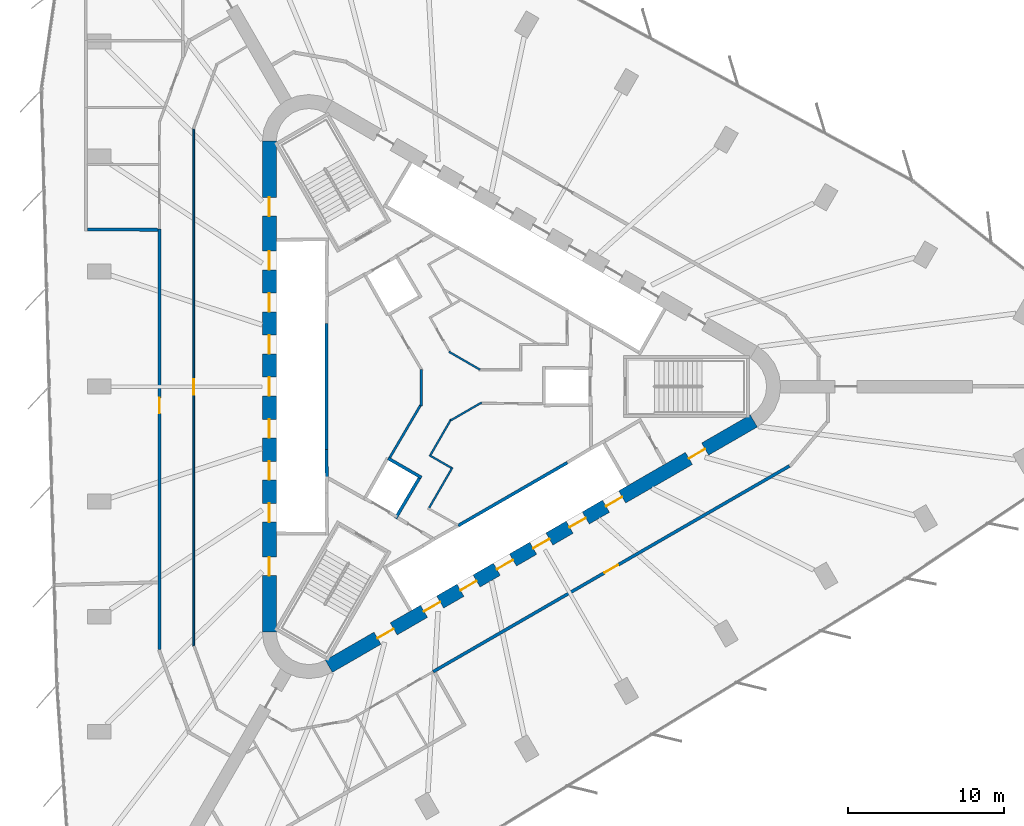
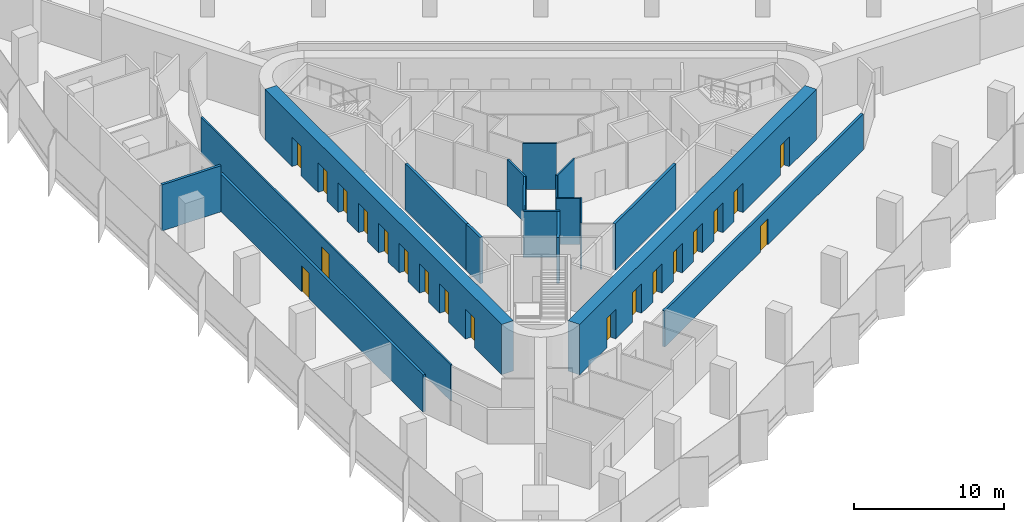
# One storey, part 9 of 14: 20 doors, 18 walls, 20 openings.
"""IFC4 building model written with IfcOpenShell, lengths in metres."""

from ifc_helpers import new_model, si_unit, direction, frame, frame_2d, origin, place, context, subcontext, project, spatial, rectangle, extrude, material, layer, layer_set, type_object, element, fill, save


model = new_model("IFC4")

# Units and contexts
model_context = context("Model", 3, precision=1e-05, world=origin(), true_north=direction((0.0, 1.0)))
body_context = subcontext(model_context, "Body", "Model", "MODEL_VIEW")
ifc_project = project(units=[si_unit("LENGTHUNIT", "METRE"), si_unit("AREAUNIT", "SQUARE_METRE"), si_unit("VOLUMEUNIT", "CUBIC_METRE"), si_unit("PLANEANGLEUNIT", "RADIAN"), si_unit("MASSUNIT", "GRAM", prefix="KILO")], contexts=[model_context])

# Site, building, storey
site_placement = place(None, origin())
site = spatial("IfcSite", under=ifc_project, at=site_placement, CompositionType="ELEMENT")
building_placement = place(site_placement, origin())
building = spatial("IfcBuilding", under=site, at=building_placement, Name="Tanit Gate Tower", CompositionType="ELEMENT")
storey_placement = place(building_placement, frame((0.0, 0.0, 152.10009765625)))
storey = spatial("IfcBuildingStorey", under=building, at=storey_placement, Name="L33", CompositionType="ELEMENT", Elevation=152.10009765625)

# Wall, openings, doors
ifc_material_1 = material(Name="Concrete C60/75", Category="concrete")
ifc_layer_1 = layer(ifc_material_1, 0.89990234375)
ifc_layer_set_1 = layer_set([ifc_layer_1], Name="CORE WALL 900 C60/75")
wall_type_1 = type_object("IfcWallType", Name="CORE WALL 900 C60/75", PredefinedType="SHEAR", material=ifc_layer_set_1)
wall_1_placement = place(storey_placement, frame((-11.64990234375, 15.76171875, 0.0), z_axis=(0.0, 0.0, 1.0), x_axis=(0.0, -1.0, 0.0)))
wall_1 = element("IfcWall", 1, at=wall_1_placement, inside=storey, type_object=wall_type_1, Name="CORE WALL", PredefinedType="SHEAR", context=body_context, shape_type="SweptSolid", body=[
    extrude(rectangle(XDim=31.5234375, YDim=0.89990234375, at=frame_2d((15.76171875, 0.0))), origin(), (0.0, 0.0, 1.0), 4.099853515625),
])
opening_1_placement = place(wall_1_placement, frame((7.061767578125, 0.0, 0.0)))
opening_1 = element("IfcOpeningElement", 2, at=opening_1_placement, cuts=wall_1, Name="Opening LDLL1-S08", PredefinedType="OPENING", context=body_context, shape_type="SweptSolid", body=[
    extrude(rectangle(XDim=1.199951171875, YDim=2.39990234375, at=frame_2d((0.60009765625, 1.199951171875))), frame((0.0, 0.4599609375, 0.0), z_axis=(0.0, -1.0, 0.0), x_axis=(1.0, 0.0, 0.0)), (0.0, 0.0, 1.0), 0.919921875),
])
opening_2_placement = place(wall_1_placement, frame((9.76171875, 0.0, 0.0)))
opening_2 = element("IfcOpeningElement", 3, at=opening_2_placement, cuts=wall_1, Name="Opening LDLL2-S08", PredefinedType="OPENING", context=body_context, shape_type="SweptSolid", body=[
    extrude(rectangle(XDim=1.199951171875, YDim=2.39990234375, at=frame_2d((0.60009765625, 1.199951171875))), frame((0.0, 0.4599609375, 0.0), z_axis=(0.0, -1.0, 0.0), x_axis=(1.0, 0.0, 0.0)), (0.0, 0.0, 1.0), 0.919921875),
])
opening_3_placement = place(wall_1_placement, frame((12.461669921875, 0.0, 0.0)))
opening_3 = element("IfcOpeningElement", 4, at=opening_3_placement, cuts=wall_1, Name="Opening LDLL3-S08", PredefinedType="OPENING", context=body_context, shape_type="SweptSolid", body=[
    extrude(rectangle(XDim=1.199951171875, YDim=2.39990234375, at=frame_2d((0.60009765625, 1.199951171875))), frame((0.0, 0.4599609375, 0.0), z_axis=(0.0, -1.0, 0.0), x_axis=(1.0, 0.0, 0.0)), (0.0, 0.0, 1.0), 0.919921875),
])
opening_4_placement = place(wall_1_placement, frame((15.16162109375, 0.0, 0.0)))
opening_4 = element("IfcOpeningElement", 5, at=opening_4_placement, cuts=wall_1, Name="Opening LDLL4-S08", PredefinedType="OPENING", context=body_context, shape_type="SweptSolid", body=[
    extrude(rectangle(XDim=1.199951171875, YDim=2.39990234375, at=frame_2d((0.60009765625, 1.199951171875))), frame((0.0, 0.4599609375, 0.0), z_axis=(0.0, -1.0, 0.0), x_axis=(1.0, 0.0, 0.0)), (0.0, 0.0, 1.0), 0.919921875),
])
opening_5_placement = place(wall_1_placement, frame((17.86181640625, 0.0, 0.0)))
opening_5 = element("IfcOpeningElement", 6, at=opening_5_placement, cuts=wall_1, Name="Opening LDLL5-S08", PredefinedType="OPENING", context=body_context, shape_type="SweptSolid", body=[
    extrude(rectangle(XDim=1.199951171875, YDim=2.39990234375, at=frame_2d((0.60009765625, 1.199951171875))), frame((0.0, 0.4599609375, 0.0), z_axis=(0.0, -1.0, 0.0), x_axis=(1.0, 0.0, 0.0)), (0.0, 0.0, 1.0), 0.919921875),
])
opening_6_placement = place(wall_1_placement, frame((20.561767578125, 0.0, 0.0)))
opening_6 = element("IfcOpeningElement", 7, at=opening_6_placement, cuts=wall_1, Name="Opening LDLL6-S08", PredefinedType="OPENING", context=body_context, shape_type="SweptSolid", body=[
    extrude(rectangle(XDim=1.199951171875, YDim=2.39990234375, at=frame_2d((0.60009765625, 1.199951171875))), frame((0.0, 0.4599609375, 0.0), z_axis=(0.0, -1.0, 0.0), x_axis=(1.0, 0.0, 0.0)), (0.0, 0.0, 1.0), 0.919921875),
])
opening_7_placement = place(wall_1_placement, frame((23.26171875, 0.0, 0.0)))
opening_7 = element("IfcOpeningElement", 8, at=opening_7_placement, cuts=wall_1, Name="Opening LDLL7-S08", PredefinedType="OPENING", context=body_context, shape_type="SweptSolid", body=[
    extrude(rectangle(XDim=1.199951171875, YDim=2.39990234375, at=frame_2d((0.60009765625, 1.199951171875))), frame((0.0, 0.4599609375, 0.0), z_axis=(0.0, -1.0, 0.0), x_axis=(1.0, 0.0, 0.0)), (0.0, 0.0, 1.0), 0.919921875),
])
opening_8_placement = place(wall_1_placement, frame((3.61181640625, 0.0, 0.0)))
opening_8 = element("IfcOpeningElement", 9, at=opening_8_placement, cuts=wall_1, Name="Opening F12-S08-FL2", PredefinedType="OPENING", context=body_context, shape_type="SweptSolid", body=[
    extrude(rectangle(XDim=1.199951171875, YDim=2.39990234375, at=frame_2d((0.60009765625, 1.199951171875))), frame((0.0, 0.4599609375, 0.0), z_axis=(0.0, -1.0, 0.0), x_axis=(1.0, 0.0, 0.0)), (0.0, 0.0, 1.0), 0.919921875),
])
opening_9_placement = place(wall_1_placement, frame((26.711669921875, 0.0, 0.0)))
opening_9 = element("IfcOpeningElement", 10, at=opening_9_placement, cuts=wall_1, Name="Opening F12-S08-S3", PredefinedType="OPENING", context=body_context, shape_type="SweptSolid", body=[
    extrude(rectangle(XDim=1.199951171875, YDim=2.39990234375, at=frame_2d((0.60009765625, 1.199951171875))), frame((0.0, 0.4599609375, 0.0), z_axis=(0.0, -1.0, 0.0), x_axis=(1.0, 0.0, 0.0)), (0.0, 0.0, 1.0), 0.919921875),
])
ifc_material_2 = material(Name="Fire-rated steel door leaf", Category="steel")
door_type_1 = type_object("IfcDoorType", Name="INT-DOOR-FIRE-LOBBY-1200", OperationType="NOTDEFINED", PredefinedType="USERDEFINED", material=ifc_material_2)
door_1_placement = place(opening_8_placement, origin())
door_1 = element("IfcDoor", 11, at=door_1_placement, inside=storey, type_object=door_type_1, Name="Door F12-S08-FL2", ObjectType="FIRE DOOR", OperationType="SINGLE_SWING_RIGHT", OverallHeight=2.39990234375, OverallWidth=1.199951171875, PredefinedType="USERDEFINED", context=body_context, shape_type="SweptSolid", body=[
    extrude(rectangle(XDim=1.199951171875, YDim=2.39990234375, at=frame_2d((0.60009765625, 1.199951171875))), frame((0.0, 0.02490234375, 0.0), z_axis=(0.0, -1.0, 0.0), x_axis=(1.0, 0.0, 0.0)), (0.0, 0.0, 1.0), 0.050048828125),
])
fill(opening_8, door_1)
door_2_placement = place(opening_9_placement, origin())
door_2 = element("IfcDoor", 12, at=door_2_placement, inside=storey, type_object=door_type_1, Name="Door F12-S08-S3", ObjectType="FIRE DOOR", OperationType="SINGLE_SWING_RIGHT", OverallHeight=2.39990234375, OverallWidth=1.199951171875, PredefinedType="USERDEFINED", context=body_context, shape_type="SweptSolid", body=[
    extrude(rectangle(XDim=1.199951171875, YDim=2.39990234375, at=frame_2d((0.60009765625, 1.199951171875))), frame((0.0, 0.02490234375, 0.0), z_axis=(0.0, -1.0, 0.0), x_axis=(1.0, 0.0, 0.0)), (0.0, 0.0, 1.0), 0.050048828125),
])
fill(opening_9, door_2)
ifc_material_3 = material(Name="Stainless steel sliding door leaf", Category="steel")
door_type_2 = type_object("IfcDoorType", Name="INT-DOOR-LANDING-1200", OperationType="NOTDEFINED", PredefinedType="USERDEFINED", material=ifc_material_3)
door_3_placement = place(opening_1_placement, origin())
door_3 = element("IfcDoor", 13, at=door_3_placement, inside=storey, type_object=door_type_2, Name="Door LDLL1-S08", ObjectType="LANDING DOOR", OperationType="SLIDING_TO_LEFT", OverallHeight=2.39990234375, OverallWidth=1.199951171875, PredefinedType="USERDEFINED", context=body_context, shape_type="SweptSolid", body=[
    extrude(rectangle(XDim=1.199951171875, YDim=2.39990234375, at=frame_2d((0.60009765625, 1.199951171875))), frame((0.0, 0.02490234375, 0.0), z_axis=(0.0, -1.0, 0.0), x_axis=(1.0, 0.0, 0.0)), (0.0, 0.0, 1.0), 0.050048828125),
])
fill(opening_1, door_3)
door_4_placement = place(opening_2_placement, origin())
door_4 = element("IfcDoor", 14, at=door_4_placement, inside=storey, type_object=door_type_2, Name="Door LDLL2-S08", ObjectType="LANDING DOOR", OperationType="SLIDING_TO_LEFT", OverallHeight=2.39990234375, OverallWidth=1.199951171875, PredefinedType="USERDEFINED", context=body_context, shape_type="SweptSolid", body=[
    extrude(rectangle(XDim=1.199951171875, YDim=2.39990234375, at=frame_2d((0.60009765625, 1.199951171875))), frame((0.0, 0.02490234375, 0.0), z_axis=(0.0, -1.0, 0.0), x_axis=(1.0, 0.0, 0.0)), (0.0, 0.0, 1.0), 0.050048828125),
])
fill(opening_2, door_4)
door_5_placement = place(opening_3_placement, origin())
door_5 = element("IfcDoor", 15, at=door_5_placement, inside=storey, type_object=door_type_2, Name="Door LDLL3-S08", ObjectType="LANDING DOOR", OperationType="SLIDING_TO_LEFT", OverallHeight=2.39990234375, OverallWidth=1.199951171875, PredefinedType="USERDEFINED", context=body_context, shape_type="SweptSolid", body=[
    extrude(rectangle(XDim=1.199951171875, YDim=2.39990234375, at=frame_2d((0.60009765625, 1.199951171875))), frame((0.0, 0.02490234375, 0.0), z_axis=(0.0, -1.0, 0.0), x_axis=(1.0, 0.0, 0.0)), (0.0, 0.0, 1.0), 0.050048828125),
])
fill(opening_3, door_5)
door_6_placement = place(opening_4_placement, origin())
door_6 = element("IfcDoor", 16, at=door_6_placement, inside=storey, type_object=door_type_2, Name="Door LDLL4-S08", ObjectType="LANDING DOOR", OperationType="SLIDING_TO_LEFT", OverallHeight=2.39990234375, OverallWidth=1.199951171875, PredefinedType="USERDEFINED", context=body_context, shape_type="SweptSolid", body=[
    extrude(rectangle(XDim=1.199951171875, YDim=2.39990234375, at=frame_2d((0.60009765625, 1.199951171875))), frame((0.0, 0.02490234375, 0.0), z_axis=(0.0, -1.0, 0.0), x_axis=(1.0, 0.0, 0.0)), (0.0, 0.0, 1.0), 0.050048828125),
])
fill(opening_4, door_6)
door_7_placement = place(opening_5_placement, origin())
door_7 = element("IfcDoor", 17, at=door_7_placement, inside=storey, type_object=door_type_2, Name="Door LDLL5-S08", ObjectType="LANDING DOOR", OperationType="SLIDING_TO_LEFT", OverallHeight=2.39990234375, OverallWidth=1.199951171875, PredefinedType="USERDEFINED", context=body_context, shape_type="SweptSolid", body=[
    extrude(rectangle(XDim=1.199951171875, YDim=2.39990234375, at=frame_2d((0.60009765625, 1.199951171875))), frame((0.0, 0.02490234375, 0.0), z_axis=(0.0, -1.0, 0.0), x_axis=(1.0, 0.0, 0.0)), (0.0, 0.0, 1.0), 0.050048828125),
])
fill(opening_5, door_7)
door_8_placement = place(opening_6_placement, origin())
door_8 = element("IfcDoor", 18, at=door_8_placement, inside=storey, type_object=door_type_2, Name="Door LDLL6-S08", ObjectType="LANDING DOOR", OperationType="SLIDING_TO_LEFT", OverallHeight=2.39990234375, OverallWidth=1.199951171875, PredefinedType="USERDEFINED", context=body_context, shape_type="SweptSolid", body=[
    extrude(rectangle(XDim=1.199951171875, YDim=2.39990234375, at=frame_2d((0.60009765625, 1.199951171875))), frame((0.0, 0.02490234375, 0.0), z_axis=(0.0, -1.0, 0.0), x_axis=(1.0, 0.0, 0.0)), (0.0, 0.0, 1.0), 0.050048828125),
])
fill(opening_6, door_8)
door_9_placement = place(opening_7_placement, origin())
door_9 = element("IfcDoor", 19, at=door_9_placement, inside=storey, type_object=door_type_2, Name="Door LDLL7-S08", ObjectType="LANDING DOOR", OperationType="SLIDING_TO_LEFT", OverallHeight=2.39990234375, OverallWidth=1.199951171875, PredefinedType="USERDEFINED", context=body_context, shape_type="SweptSolid", body=[
    extrude(rectangle(XDim=1.199951171875, YDim=2.39990234375, at=frame_2d((0.60009765625, 1.199951171875))), frame((0.0, 0.02490234375, 0.0), z_axis=(0.0, -1.0, 0.0), x_axis=(1.0, 0.0, 0.0)), (0.0, 0.0, 1.0), 0.050048828125),
])
fill(opening_7, door_9)

wall_2_placement = place(storey_placement, frame((-7.824951171875, -17.969970703125, 0.0), z_axis=(0.0, 0.0, 1.0), x_axis=(0.866028369851, 0.499994862586, 0.0)))
wall_2 = element("IfcWall", 20, at=wall_2_placement, inside=storey, type_object=wall_type_1, Name="CORE WALL", PredefinedType="SHEAR", context=body_context, shape_type="SweptSolid", body=[
    extrude(rectangle(XDim=31.523193359375, YDim=0.89990234375, at=frame_2d((15.76171875, 0.0))), origin(), (0.0, 0.0, 1.0), 4.099853515625),
])
opening_10_placement = place(wall_2_placement, frame((7.061767578125, 0.0, 0.0)))
opening_10 = element("IfcOpeningElement", 21, at=opening_10_placement, cuts=wall_2, Name="Opening LDSX1-S08", PredefinedType="OPENING", context=body_context, shape_type="SweptSolid", body=[
    extrude(rectangle(XDim=1.199951171875, YDim=2.39990234375, at=frame_2d((0.60009765625, 1.199951171875))), frame((0.0, 0.4599609375, 0.0), z_axis=(0.0, -1.0, 0.0), x_axis=(1.0, 0.0, 0.0)), (0.0, 0.0, 1.0), 0.919921875),
])
opening_11_placement = place(wall_2_placement, frame((9.76171875, 0.0, 0.0)))
opening_11 = element("IfcOpeningElement", 22, at=opening_11_placement, cuts=wall_2, Name="Opening LDSX2-S08", PredefinedType="OPENING", context=body_context, shape_type="SweptSolid", body=[
    extrude(rectangle(XDim=1.199951171875, YDim=2.39990234375, at=frame_2d((0.60009765625, 1.199951171875))), frame((0.0, 0.4599609375, 0.0), z_axis=(0.0, -1.0, 0.0), x_axis=(1.0, 0.0, 0.0)), (0.0, 0.0, 1.0), 0.919921875),
])
opening_12_placement = place(wall_2_placement, frame((12.461669921875, 0.0, 0.0)))
opening_12 = element("IfcOpeningElement", 23, at=opening_12_placement, cuts=wall_2, Name="Opening LDSX3-S08", PredefinedType="OPENING", context=body_context, shape_type="SweptSolid", body=[
    extrude(rectangle(XDim=1.199951171875, YDim=2.39990234375, at=frame_2d((0.60009765625, 1.199951171875))), frame((0.0, 0.4599609375, 0.0), z_axis=(0.0, -1.0, 0.0), x_axis=(1.0, 0.0, 0.0)), (0.0, 0.0, 1.0), 0.919921875),
])
opening_13_placement = place(wall_2_placement, frame((15.16162109375, 0.0, 0.0)))
opening_13 = element("IfcOpeningElement", 24, at=opening_13_placement, cuts=wall_2, Name="Opening LDSX4-S08", PredefinedType="OPENING", context=body_context, shape_type="SweptSolid", body=[
    extrude(rectangle(XDim=1.199951171875, YDim=2.39990234375, at=frame_2d((0.60009765625, 1.199951171875))), frame((0.0, 0.4599609375, 0.0), z_axis=(0.0, -1.0, 0.0), x_axis=(1.0, 0.0, 0.0)), (0.0, 0.0, 1.0), 0.919921875),
])
opening_14_placement = place(wall_2_placement, frame((17.861572265625, 0.0, 0.0)))
opening_14 = element("IfcOpeningElement", 25, at=opening_14_placement, cuts=wall_2, Name="Opening LDSV1-S08", PredefinedType="OPENING", context=body_context, shape_type="SweptSolid", body=[
    extrude(rectangle(XDim=1.199951171875, YDim=2.39990234375, at=frame_2d((0.60009765625, 1.199951171875))), frame((0.0, 0.4599609375, 0.0), z_axis=(0.0, -1.0, 0.0), x_axis=(1.0, 0.0, 0.0)), (0.0, 0.0, 1.0), 0.919921875),
])
opening_15_placement = place(wall_2_placement, frame((20.561767578125, 0.0, 0.0)))
opening_15 = element("IfcOpeningElement", 26, at=opening_15_placement, cuts=wall_2, Name="Opening LDSV2-S08", PredefinedType="OPENING", context=body_context, shape_type="SweptSolid", body=[
    extrude(rectangle(XDim=1.199951171875, YDim=2.39990234375, at=frame_2d((0.60009765625, 1.199951171875))), frame((0.0, 0.4599609375, 0.0), z_axis=(0.0, -1.0, 0.0), x_axis=(1.0, 0.0, 0.0)), (0.0, 0.0, 1.0), 0.919921875),
])
opening_16_placement = place(wall_2_placement, frame((26.711669921875, 0.0, 0.0)))
opening_16 = element("IfcOpeningElement", 27, at=opening_16_placement, cuts=wall_2, Name="Opening F12-S08-S1", PredefinedType="OPENING", context=body_context, shape_type="SweptSolid", body=[
    extrude(rectangle(XDim=1.199951171875, YDim=2.39990234375, at=frame_2d((0.60009765625, 1.199951171875))), frame((0.0, 0.4599609375, 0.0), z_axis=(0.0, -1.0, 0.0), x_axis=(1.0, 0.0, 0.0)), (0.0, 0.0, 1.0), 0.919921875),
])
opening_17_placement = place(wall_2_placement, frame((3.611572265625, 0.0, 0.0)))
opening_17 = element("IfcOpeningElement", 28, at=opening_17_placement, cuts=wall_2, Name="Opening F12-S08-FL3", PredefinedType="OPENING", context=body_context, shape_type="SweptSolid", body=[
    extrude(rectangle(XDim=1.199951171875, YDim=2.39990234375, at=frame_2d((0.60009765625, 1.199951171875))), frame((0.0, 0.4599609375, 0.0), z_axis=(0.0, -1.0, 0.0), x_axis=(1.0, 0.0, 0.0)), (0.0, 0.0, 1.0), 0.919921875),
])
door_10_placement = place(opening_16_placement, origin())
door_10 = element("IfcDoor", 29, at=door_10_placement, inside=storey, type_object=door_type_1, Name="Door F12-S08-S1", ObjectType="FIRE DOOR", OperationType="SINGLE_SWING_RIGHT", OverallHeight=2.39990234375, OverallWidth=1.199951171875, PredefinedType="USERDEFINED", context=body_context, shape_type="SweptSolid", body=[
    extrude(rectangle(XDim=1.199951171875, YDim=2.39990234375, at=frame_2d((0.60009765625, 1.199951171875))), frame((0.0, 0.02490234375, 0.0), z_axis=(0.0, -1.0, 0.0), x_axis=(1.0, 0.0, 0.0)), (0.0, 0.0, 1.0), 0.050048828125),
])
fill(opening_16, door_10)
door_11_placement = place(opening_17_placement, origin())
door_11 = element("IfcDoor", 30, at=door_11_placement, inside=storey, type_object=door_type_1, Name="Door F12-S08-FL3", ObjectType="FIRE DOOR", OperationType="SINGLE_SWING_LEFT", OverallHeight=2.39990234375, OverallWidth=1.199951171875, PredefinedType="USERDEFINED", context=body_context, shape_type="SweptSolid", body=[
    extrude(rectangle(XDim=1.199951171875, YDim=2.39990234375, at=frame_2d((0.60009765625, 1.199951171875))), frame((0.0, 0.02490234375, 0.0), z_axis=(0.0, -1.0, 0.0), x_axis=(1.0, 0.0, 0.0)), (0.0, 0.0, 1.0), 0.050048828125),
])
fill(opening_17, door_11)
door_12_placement = place(opening_10_placement, origin())
door_12 = element("IfcDoor", 31, at=door_12_placement, inside=storey, type_object=door_type_2, Name="Door LDSX1-S08", ObjectType="LANDING DOOR", OperationType="SLIDING_TO_LEFT", OverallHeight=2.39990234375, OverallWidth=1.199951171875, PredefinedType="USERDEFINED", context=body_context, shape_type="SweptSolid", body=[
    extrude(rectangle(XDim=1.199951171875, YDim=2.39990234375, at=frame_2d((0.60009765625, 1.199951171875))), frame((0.0, 0.02490234375, 0.0), z_axis=(0.0, -1.0, 0.0), x_axis=(1.0, 0.0, 0.0)), (0.0, 0.0, 1.0), 0.050048828125),
])
fill(opening_10, door_12)
door_13_placement = place(opening_11_placement, origin())
door_13 = element("IfcDoor", 32, at=door_13_placement, inside=storey, type_object=door_type_2, Name="Door LDSX2-S08", ObjectType="LANDING DOOR", OperationType="SLIDING_TO_LEFT", OverallHeight=2.39990234375, OverallWidth=1.199951171875, PredefinedType="USERDEFINED", context=body_context, shape_type="SweptSolid", body=[
    extrude(rectangle(XDim=1.199951171875, YDim=2.39990234375, at=frame_2d((0.60009765625, 1.199951171875))), frame((0.0, 0.02490234375, 0.0), z_axis=(0.0, -1.0, 0.0), x_axis=(1.0, 0.0, 0.0)), (0.0, 0.0, 1.0), 0.050048828125),
])
fill(opening_11, door_13)
door_14_placement = place(opening_12_placement, origin())
door_14 = element("IfcDoor", 33, at=door_14_placement, inside=storey, type_object=door_type_2, Name="Door LDSX3-S08", ObjectType="LANDING DOOR", OperationType="SLIDING_TO_LEFT", OverallHeight=2.39990234375, OverallWidth=1.199951171875, PredefinedType="USERDEFINED", context=body_context, shape_type="SweptSolid", body=[
    extrude(rectangle(XDim=1.199951171875, YDim=2.39990234375, at=frame_2d((0.60009765625, 1.199951171875))), frame((0.0, 0.02490234375, 0.0), z_axis=(0.0, -1.0, 0.0), x_axis=(1.0, 0.0, 0.0)), (0.0, 0.0, 1.0), 0.050048828125),
])
fill(opening_12, door_14)
door_15_placement = place(opening_13_placement, origin())
door_15 = element("IfcDoor", 34, at=door_15_placement, inside=storey, type_object=door_type_2, Name="Door LDSX4-S08", ObjectType="LANDING DOOR", OperationType="SLIDING_TO_LEFT", OverallHeight=2.39990234375, OverallWidth=1.199951171875, PredefinedType="USERDEFINED", context=body_context, shape_type="SweptSolid", body=[
    extrude(rectangle(XDim=1.199951171875, YDim=2.39990234375, at=frame_2d((0.60009765625, 1.199951171875))), frame((0.0, 0.02490234375, 0.0), z_axis=(0.0, -1.0, 0.0), x_axis=(1.0, 0.0, 0.0)), (0.0, 0.0, 1.0), 0.050048828125),
])
fill(opening_13, door_15)
door_16_placement = place(opening_14_placement, origin())
door_16 = element("IfcDoor", 35, at=door_16_placement, inside=storey, type_object=door_type_2, Name="Door LDSV1-S08", ObjectType="LANDING DOOR", OperationType="SLIDING_TO_LEFT", OverallHeight=2.39990234375, OverallWidth=1.199951171875, PredefinedType="USERDEFINED", context=body_context, shape_type="SweptSolid", body=[
    extrude(rectangle(XDim=1.199951171875, YDim=2.39990234375, at=frame_2d((0.60009765625, 1.199951171875))), frame((0.0, 0.02490234375, 0.0), z_axis=(0.0, -1.0, 0.0), x_axis=(1.0, 0.0, 0.0)), (0.0, 0.0, 1.0), 0.050048828125),
])
fill(opening_14, door_16)
door_17_placement = place(opening_15_placement, origin())
door_17 = element("IfcDoor", 36, at=door_17_placement, inside=storey, type_object=door_type_2, Name="Door LDSV2-S08", ObjectType="LANDING DOOR", OperationType="SLIDING_TO_LEFT", OverallHeight=2.39990234375, OverallWidth=1.199951171875, PredefinedType="USERDEFINED", context=body_context, shape_type="SweptSolid", body=[
    extrude(rectangle(XDim=1.199951171875, YDim=2.39990234375, at=frame_2d((0.60009765625, 1.199951171875))), frame((0.0, 0.02490234375, 0.0), z_axis=(0.0, -1.0, 0.0), x_axis=(1.0, 0.0, 0.0)), (0.0, 0.0, 1.0), 0.050048828125),
])
fill(opening_15, door_17)

# Wall, opening, door
ifc_material_4 = material(Name="Fire-rated gypsum board partition")
ifc_layer_2 = layer(ifc_material_4, 0.199951171875)
ifc_layer_set_2 = layer_set([ifc_layer_2], Name="INT-WALL-COMPARTMENT")
wall_type_2 = type_object("IfcWallType", Name="INT-WALL-COMPARTMENT", PredefinedType="PARTITIONING", material=ifc_layer_set_2)
wall_3_placement = place(storey_placement, frame((-18.699951171875, 10.1298828125, 0.0), z_axis=(0.0, 0.0, 1.0), x_axis=(0.0, -1.0, 0.0)))
wall_3 = element("IfcWall", 37, at=wall_3_placement, inside=storey, type_object=wall_type_2, Name="Wall Compartment W094", PredefinedType="PARTITIONING", context=body_context, shape_type="SweptSolid", body=[
    extrude(rectangle(XDim=27.03466796875, YDim=0.199951171875, at=frame_2d((13.517333984375, 0.0))), origin(), (0.0, 0.0, 1.0), 3.02978515625),
])
opening_18_placement = place(wall_3_placement, frame((10.850341796875, 0.0, 0.0)))
opening_18 = element("IfcOpeningElement", 38, at=opening_18_placement, cuts=wall_3, Name="Opening F10-S08-26", PredefinedType="OPENING", context=body_context, shape_type="SweptSolid", body=[
    extrude(rectangle(XDim=1.0, YDim=2.10009765625, at=frame_2d((0.5, 1.050048828125))), frame((0.0, 0.10986328125, 0.0), z_axis=(0.0, -1.0, 0.0), x_axis=(1.0, 0.0, 0.0)), (0.0, 0.0, 1.0), 0.219970703125),
])
ifc_material_5 = material(Name="Fire-rated steel door leaf", Category="steel")
door_type_3 = type_object("IfcDoorType", Name="INT-DOOR-FIRE-1000", OperationType="NOTDEFINED", PredefinedType="USERDEFINED", material=ifc_material_5)
door_18_placement = place(opening_18_placement, origin())
door_18 = element("IfcDoor", 39, at=door_18_placement, inside=storey, type_object=door_type_3, Name="Door F10-S08-26", ObjectType="FIRE DOOR", OperationType="SINGLE_SWING_LEFT", OverallHeight=2.10009765625, OverallWidth=1.0, PredefinedType="USERDEFINED", context=body_context, shape_type="SweptSolid", body=[
    extrude(rectangle(XDim=1.0, YDim=2.10009765625, at=frame_2d((0.5, 1.050048828125))), frame((0.0, 0.02490234375, 0.0), z_axis=(0.0, -1.0, 0.0), x_axis=(1.0, 0.0, 0.0)), (0.0, 0.0, 1.0), 0.050048828125),
])
fill(opening_18, door_18)

wall_4_placement = place(storey_placement, frame((-1.122802734375, -18.315185546875, 0.0), z_axis=(0.0, 0.0, 1.0), x_axis=(0.866026561282, 0.49999799515, 0.0)))
wall_4 = element("IfcWall", 40, at=wall_4_placement, inside=storey, type_object=wall_type_2, Name="Wall Compartment W108", PredefinedType="PARTITIONING", context=body_context, shape_type="SweptSolid", body=[
    extrude(rectangle(XDim=26.43505859375, YDim=0.199951171875, at=frame_2d((13.217529296875, 0.0))), origin(), (0.0, 0.0, 1.0), 2.929931640625),
])
opening_19_placement = place(wall_4_placement, frame((12.717529296875, 0.0, 0.0)))
opening_19 = element("IfcOpeningElement", 41, at=opening_19_placement, cuts=wall_4, Name="Opening F10-S08-28", PredefinedType="OPENING", context=body_context, shape_type="SweptSolid", body=[
    extrude(rectangle(XDim=1.0, YDim=2.10009765625, at=frame_2d((0.5, 1.050048828125))), frame((0.0, 0.10986328125, 0.0), z_axis=(0.0, -1.0, 0.0), x_axis=(1.0, 0.0, 0.0)), (0.0, 0.0, 1.0), 0.219970703125),
])
door_19_placement = place(opening_19_placement, origin())
door_19 = element("IfcDoor", 42, at=door_19_placement, inside=storey, type_object=door_type_3, Name="Door F10-S08-28", ObjectType="FIRE DOOR", OperationType="SINGLE_SWING_RIGHT", OverallHeight=2.10009765625, OverallWidth=1.0, PredefinedType="USERDEFINED", context=body_context, shape_type="SweptSolid", body=[
    extrude(rectangle(XDim=1.0, YDim=2.10009765625, at=frame_2d((0.5, 1.050048828125))), frame((0.0, 0.02490234375, 0.0), z_axis=(0.0, -1.0, 0.0), x_axis=(1.0, 0.0, 0.0)), (0.0, 0.0, 1.0), 0.050048828125),
])
fill(opening_19, door_19)

# Walls
wall_5_placement = place(storey_placement, frame((-23.330078125, 10.099365234375, 0.0), z_axis=(0.0, 0.0, 1.0), x_axis=(0.999979779172, -0.006359343247, 0.0)))
element("IfcWall", 43, at=wall_5_placement, inside=storey, type_object=wall_type_2, Name="Wall Compartment W121", PredefinedType="PARTITIONING", context=body_context, shape_type="SweptSolid", body=[
    extrude(rectangle(XDim=4.530029296875, YDim=0.199951171875, at=frame_2d((2.26513671875, 0.0))), origin(), (0.0, 0.0, 1.0), 3.75),
])
ifc_material_6 = material(Name="Gypsum board partition")
ifc_layer_3 = layer(ifc_material_6, 0.1201171875)
ifc_layer_set_3 = layer_set([ifc_layer_3], Name="INT-WALL-PARTITION")
wall_type_3 = type_object("IfcWallType", Name="INT-WALL-PARTITION", PredefinedType="PARTITIONING", material=ifc_layer_set_3)
wall_6_placement = place(storey_placement, frame((0.1181640625, -5.195068359375, 0.0), z_axis=(0.0, 0.0, 1.0), x_axis=(-0.499990139034, -0.866031096941, 0.0)))
element("IfcWall", 44, at=wall_6_placement, inside=storey, type_object=wall_type_3, Name="Wall Partition W069", PredefinedType="PARTITIONING", context=body_context, shape_type="SweptSolid", body=[
    extrude(rectangle(XDim=3.0, YDim=0.1201171875, at=frame_2d((1.5, 0.0))), origin(), (0.0, 0.0, 1.0), 3.75),
])
wall_7_placement = place(storey_placement, frame((-1.37109375, -4.404541015625, 0.0), z_axis=(0.0, 0.0, 1.0), x_axis=(0.866053003207, -0.499952193351, 0.0)))
element("IfcWall", 45, at=wall_7_placement, inside=storey, type_object=wall_type_3, Name="Wall Partition W070", PredefinedType="PARTITIONING", context=body_context, shape_type="SweptSolid", body=[
    extrude(rectangle(XDim=1.625244140625, YDim=0.1201171875, at=frame_2d((0.8125, 0.0))), origin(), (0.0, 0.0, 1.0), 3.75),
])
wall_8_placement = place(storey_placement, frame((0.0302734375, -2.097412109375, 0.0), z_axis=(0.0, 0.0, 1.0), x_axis=(-0.500000102728, -0.866025344474, 0.0)))
element("IfcWall", 46, at=wall_8_placement, inside=storey, type_object=wall_type_3, Name="Wall Partition W071", PredefinedType="PARTITIONING", context=body_context, shape_type="SweptSolid", body=[
    extrude(rectangle(XDim=2.638671875, YDim=0.1201171875, at=frame_2d((1.3193359375, 0.0))), origin(), (0.0, 0.0, 1.0), 3.75),
])
wall_9_placement = place(storey_placement, frame((1.993896484375, -1.02392578125, 0.0), z_axis=(0.0, 0.0, 1.0), x_axis=(-0.866048237946, -0.499960447986, 0.0)))
element("IfcWall", 47, at=wall_9_placement, inside=storey, type_object=wall_type_3, Name="Wall Partition W072", PredefinedType="PARTITIONING", context=body_context, shape_type="SweptSolid", body=[
    extrude(rectangle(XDim=2.308837890625, YDim=0.1201171875, at=frame_2d((1.154296875, 0.0))), origin(), (0.0, 0.0, 1.0), 3.75),
])
wall_10_placement = place(storey_placement, frame((-0.111572265625, 2.239501953125, 0.0), z_axis=(0.0, 0.0, 1.0), x_axis=(0.865997282035, -0.500048705136, 0.0)))
element("IfcWall", 48, at=wall_10_placement, inside=storey, type_object=wall_type_3, Name="Wall Partition W082", PredefinedType="PARTITIONING", context=body_context, shape_type="SweptSolid", body=[
    extrude(rectangle(XDim=2.310302734375, YDim=0.1201171875, at=frame_2d((1.1552734375, 0.0))), origin(), (0.0, 0.0, 1.0), 3.75),
])

# Wall, opening, door
wall_11_placement = place(storey_placement, frame((-16.5, 16.556884765625, 0.0), z_axis=(0.0, 0.0, 1.0), x_axis=(0.0, -1.0, 0.0)))
wall_11 = element("IfcWall", 49, at=wall_11_placement, inside=storey, type_object=wall_type_3, Name="Wall Partition W088", PredefinedType="PARTITIONING", context=body_context, shape_type="SweptSolid", body=[
    extrude(rectangle(XDim=33.233642578125, YDim=0.1201171875, at=frame_2d((16.61669921875, 0.0))), origin(), (0.0, 0.0, 1.0), 2.929931640625),
])
opening_20_placement = place(wall_11_placement, frame((16.0869140625, 0.0, 0.0)))
opening_20 = element("IfcOpeningElement", 50, at=opening_20_placement, cuts=wall_11, Name="Opening D10-S08-15", PredefinedType="OPENING", context=body_context, shape_type="SweptSolid", body=[
    extrude(rectangle(XDim=1.0, YDim=2.10009765625, at=frame_2d((0.5, 1.050048828125))), frame((0.0, 0.070068359375, 0.0), z_axis=(0.0, -1.0, 0.0), x_axis=(1.0, 0.0, 0.0)), (0.0, 0.0, 1.0), 0.14013671875),
])
ifc_material_7 = material(Name="Timber door leaf", Category="wood")
door_type_4 = type_object("IfcDoorType", Name="INT-DOOR-SINGLE-1000", OperationType="NOTDEFINED", PredefinedType="NOTDEFINED", material=ifc_material_7)
door_20_placement = place(opening_20_placement, origin())
door_20 = element("IfcDoor", 51, at=door_20_placement, inside=storey, type_object=door_type_4, Name="Door D10-S08-15", OperationType="SINGLE_SWING_RIGHT", OverallHeight=2.10009765625, OverallWidth=1.0, PredefinedType="NOTDEFINED", context=body_context, shape_type="SweptSolid", body=[
    extrude(rectangle(XDim=1.0, YDim=2.10009765625, at=frame_2d((0.5, 1.050048828125))), frame((0.0, 0.02490234375, 0.0), z_axis=(0.0, -1.0, 0.0), x_axis=(1.0, 0.0, 0.0)), (0.0, 0.0, 1.0), 0.050048828125),
])
fill(opening_20, door_20)

# Walls
ifc_material_8 = material(Name="Fire-rated gypsum board partition")
ifc_layer_4 = layer(ifc_material_8, 0.14990234375)
ifc_layer_set_4 = layer_set([ifc_layer_4], Name="INT-WALL-RISER")
wall_type_4 = type_object("IfcWallType", Name="INT-WALL-RISER", PredefinedType="PLUMBINGWALL", material=ifc_layer_set_4)
wall_12_placement = place(storey_placement, frame((-1.883544921875, -1.240234375, 0.0), z_axis=(0.0, 0.0, 1.0), x_axis=(0.0, 1.0, 0.0)))
element("IfcWall", 52, at=wall_12_placement, inside=storey, type_object=wall_type_4, Name="Wall Riser W066", PredefinedType="PLUMBINGWALL", context=body_context, shape_type="SweptSolid", body=[
    extrude(rectangle(XDim=2.3291015625, YDim=0.14990234375, at=frame_2d((1.16455078125, 0.0))), origin(), (0.0, 0.0, 1.0), 3.75),
])
wall_13_placement = place(storey_placement, frame((-3.906005859375, -4.5576171875, 0.0), z_axis=(0.0, 0.0, 1.0), x_axis=(0.506254243073, 0.862384277089, 0.0)))
element("IfcWall", 53, at=wall_13_placement, inside=storey, type_object=wall_type_4, Name="Wall Riser W067", PredefinedType="PLUMBINGWALL", context=body_context, shape_type="SweptSolid", body=[
    extrude(rectangle(XDim=3.971435546875, YDim=0.14990234375, at=frame_2d((1.98583984375, 0.0))), origin(), (0.0, 0.0, 1.0), 3.75),
])
ifc_material_9 = material(Name="Gypsum shaft wall system")
ifc_layer_5 = layer(ifc_material_9, 0.199951171875)
ifc_layer_set_5 = layer_set([ifc_layer_5], Name="INT-WALL-SHAFT")
wall_type_5 = type_object("IfcWallType", Name="INT-WALL-SHAFT", PredefinedType="PLUMBINGWALL", material=ifc_layer_set_5)
wall_14_placement = place(storey_placement, frame((-7.97998046875, 4.050048828125, 0.0), z_axis=(0.0, 0.0, 1.0), x_axis=(0.0, -1.0, 0.0)))
element("IfcWall", 54, at=wall_14_placement, inside=storey, type_object=wall_type_5, Name="Wall Shaft W006", PredefinedType="PLUMBINGWALL", context=body_context, shape_type="SweptSolid", body=[
    extrude(rectangle(XDim=8.10009765625, YDim=0.199951171875, at=frame_2d((4.050048828125, 0.0))), origin(), (0.0, 0.0, 1.0), 3.75),
])
wall_15_placement = place(storey_placement, frame((-7.97998046875, -4.050048828125, 0.0), z_axis=(0.0, 0.0, 1.0), x_axis=(0.016809909365, -0.999858703491, 0.0)))
element("IfcWall", 55, at=wall_15_placement, inside=storey, type_object=wall_type_5, Name="Wall Shaft W010", PredefinedType="PLUMBINGWALL", context=body_context, shape_type="SweptSolid", body=[
    extrude(rectangle(XDim=1.844482421875, YDim=0.199951171875, at=frame_2d((0.92236328125, 0.0))), origin(), (0.0, 0.0, 1.0), 3.75),
])
wall_16_placement = place(storey_placement, frame((0.482666015625, -8.935791015625, 0.0), z_axis=(0.0, 0.0, 1.0), x_axis=(0.866030989016, 0.499990325971, 0.0)))
element("IfcWall", 56, at=wall_16_placement, inside=storey, type_object=wall_type_5, Name="Wall Shaft W031", PredefinedType="PLUMBINGWALL", context=body_context, shape_type="SweptSolid", body=[
    extrude(rectangle(XDim=8.099853515625, YDim=0.199951171875, at=frame_2d((4.0498046875, 0.0))), origin(), (0.0, 0.0, 1.0), 3.75),
])
wall_17_placement = place(storey_placement, frame((-4.021484375, -4.6064453125, 0.0), z_axis=(0.0, 0.0, 1.0), x_axis=(0.866016689309, -0.500015093611, 0.0)))
element("IfcWall", 57, at=wall_17_placement, inside=storey, type_object=wall_type_5, Name="Wall Shaft W055", PredefinedType="PLUMBINGWALL", context=body_context, shape_type="SweptSolid", body=[
    extrude(rectangle(XDim=2.4794921875, YDim=0.199951171875, at=frame_2d((1.23974609375, 0.0))), origin(), (0.0, 0.0, 1.0), 3.75),
])
wall_18_placement = place(storey_placement, frame((-2.01171875, -5.88232421875, 0.0), z_axis=(0.0, 0.0, 1.0), x_axis=(-0.508619639323, -0.860991325447, 0.0)))
element("IfcWall", 58, at=wall_18_placement, inside=storey, type_object=wall_type_5, Name="Wall Shaft W056", PredefinedType="PLUMBINGWALL", context=body_context, shape_type="SweptSolid", body=[
    extrude(rectangle(XDim=3.0, YDim=0.199951171875, at=frame_2d((1.5, 0.0))), origin(), (0.0, 0.0, 1.0), 3.75),
])

save(model, "model.ifc")
